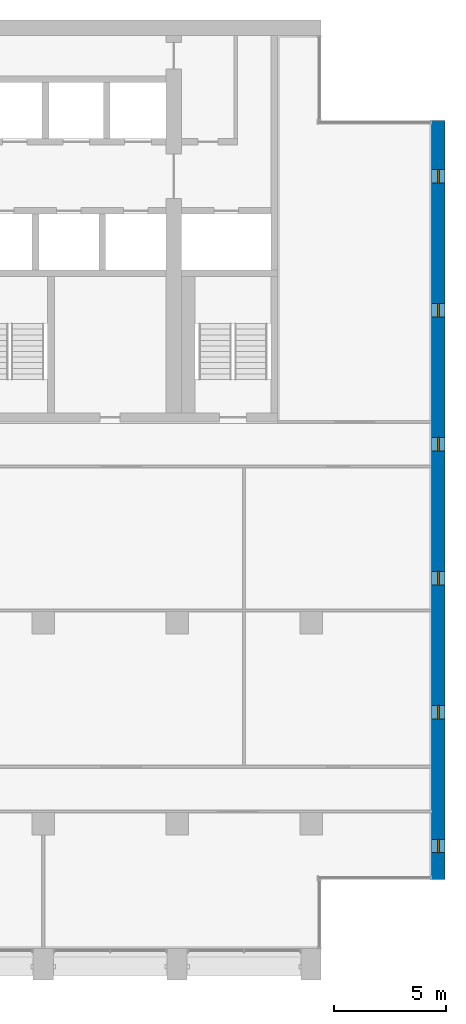
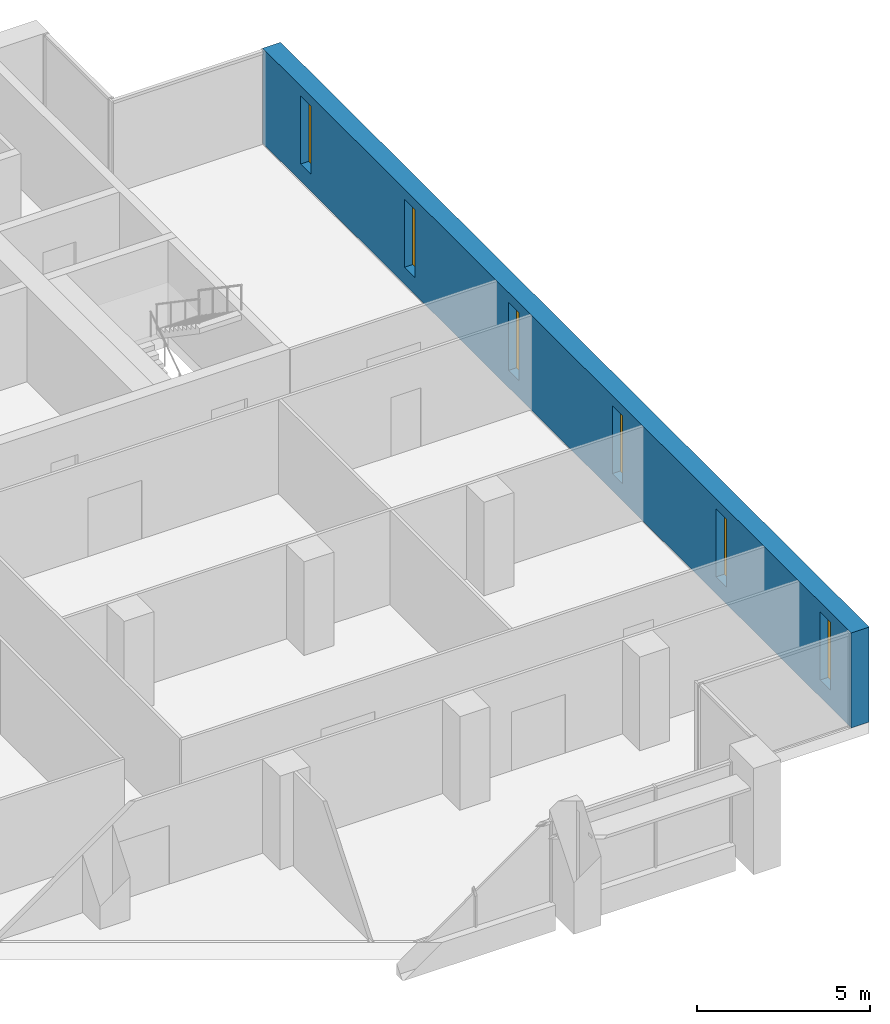
# One storey, part 12 of 17: 6 windows, 1 wall, 6 openings.
"""IFC4 building model written with IfcOpenShell, lengths in metres."""

from ifc_helpers import new_model, si_unit, direction, frame, frame_2d, origin, place, context, subcontext, project, spatial, rectangle, extrude, material, layer, layer_set, type_object, element, fill, save


model = new_model("IFC4")

# Units and contexts
model_context = context("Model", 3, precision=1e-05, world=origin(), true_north=direction((0.0, 1.0)))
body_context = subcontext(model_context, "Body", "Model", "MODEL_VIEW")
ifc_project = project(units=[si_unit("LENGTHUNIT", "METRE"), si_unit("AREAUNIT", "SQUARE_METRE"), si_unit("VOLUMEUNIT", "CUBIC_METRE"), si_unit("PLANEANGLEUNIT", "RADIAN"), si_unit("MASSUNIT", "GRAM", prefix="KILO")], contexts=[model_context])

# Site, building, storey
site_placement = place(None, origin())
site = spatial("IfcSite", under=ifc_project, at=site_placement, CompositionType="ELEMENT")
building_placement = place(site_placement, origin())
building = spatial("IfcBuilding", under=site, at=building_placement, Name="Calvaro Tower", CompositionType="ELEMENT")
storey_placement = place(building_placement, frame((0.0, 0.0, 211.75)))
storey = spatial("IfcBuildingStorey", under=building, at=storey_placement, Name="L53", CompositionType="ELEMENT", Elevation=211.75)

# Wall, openings, windows
ifc_material_1 = material(Name="Concrete C50/60", Category="concrete")
ifc_layer = layer(ifc_material_1, 0.60009765625)
ifc_layer_set = layer_set([ifc_layer], Name="Concrete C50/60")
wall_type = type_object("IfcWallType", Name="End wall 600 C50/60", PredefinedType="SHEAR", material=ifc_layer_set)
wall_placement = place(storey_placement, frame((71.699951171875, 7.5, 0.0), z_axis=(0.0, 0.0, 1.0), x_axis=(0.0, 1.0, 0.0)))
wall = element("IfcWall", 1, at=wall_placement, inside=storey, type_object=wall_type, Name="End shear wall", PredefinedType="SHEAR", context=body_context, shape_type="SweptSolid", body=[
    extrude(rectangle(XDim=34.0, YDim=0.60009765625, at=frame_2d((17.0, 0.0))), origin(), (0.0, 0.0, 1.0), 3.35009765625),
])
opening_1_placement = place(wall_placement, frame((1.199951171875, 0.0, 0.60009765625)))
opening_1 = element("IfcOpeningElement", 2, at=opening_1_placement, cuts=wall, Name="Opening WE01", PredefinedType="OPENING", context=body_context, shape_type="SweptSolid", body=[
    extrude(rectangle(XDim=0.60009765625, YDim=2.39990234375, at=frame_2d((0.300048828125, 1.199951171875))), frame((0.0, 0.31005859375, 0.0), z_axis=(0.0, -1.0, 0.0), x_axis=(1.0, 0.0, 0.0)), (0.0, 0.0, 1.0), 0.6201171875),
])
opening_2_placement = place(wall_placement, frame((7.199951171875, 0.0, 0.60009765625)))
opening_2 = element("IfcOpeningElement", 3, at=opening_2_placement, cuts=wall, Name="Opening WE02", PredefinedType="OPENING", context=body_context, shape_type="SweptSolid", body=[
    extrude(rectangle(XDim=0.60009765625, YDim=2.39990234375, at=frame_2d((0.300048828125, 1.199951171875))), frame((0.0, 0.31005859375, 0.0), z_axis=(0.0, -1.0, 0.0), x_axis=(1.0, 0.0, 0.0)), (0.0, 0.0, 1.0), 0.6201171875),
])
opening_3_placement = place(wall_placement, frame((13.199951171875, 0.0, 0.60009765625)))
opening_3 = element("IfcOpeningElement", 4, at=opening_3_placement, cuts=wall, Name="Opening WE03", PredefinedType="OPENING", context=body_context, shape_type="SweptSolid", body=[
    extrude(rectangle(XDim=0.60009765625, YDim=2.39990234375, at=frame_2d((0.300048828125, 1.199951171875))), frame((0.0, 0.31005859375, 0.0), z_axis=(0.0, -1.0, 0.0), x_axis=(1.0, 0.0, 0.0)), (0.0, 0.0, 1.0), 0.6201171875),
])
opening_4_placement = place(wall_placement, frame((19.199951171875, 0.0, 0.60009765625)))
opening_4 = element("IfcOpeningElement", 5, at=opening_4_placement, cuts=wall, Name="Opening WE04", PredefinedType="OPENING", context=body_context, shape_type="SweptSolid", body=[
    extrude(rectangle(XDim=0.60009765625, YDim=2.39990234375, at=frame_2d((0.300048828125, 1.199951171875))), frame((0.0, 0.31005859375, 0.0), z_axis=(0.0, -1.0, 0.0), x_axis=(1.0, 0.0, 0.0)), (0.0, 0.0, 1.0), 0.6201171875),
])
opening_5_placement = place(wall_placement, frame((25.199951171875, 0.0, 0.60009765625)))
opening_5 = element("IfcOpeningElement", 6, at=opening_5_placement, cuts=wall, Name="Opening WE05", PredefinedType="OPENING", context=body_context, shape_type="SweptSolid", body=[
    extrude(rectangle(XDim=0.60009765625, YDim=2.39990234375, at=frame_2d((0.300048828125, 1.199951171875))), frame((0.0, 0.31005859375, 0.0), z_axis=(0.0, -1.0, 0.0), x_axis=(1.0, 0.0, 0.0)), (0.0, 0.0, 1.0), 0.6201171875),
])
opening_6_placement = place(wall_placement, frame((31.199951171875, 0.0, 0.60009765625)))
opening_6 = element("IfcOpeningElement", 7, at=opening_6_placement, cuts=wall, Name="Opening WE06", PredefinedType="OPENING", context=body_context, shape_type="SweptSolid", body=[
    extrude(rectangle(XDim=0.60009765625, YDim=2.39990234375, at=frame_2d((0.300048828125, 1.199951171875))), frame((0.0, 0.31005859375, 0.0), z_axis=(0.0, -1.0, 0.0), x_axis=(1.0, 0.0, 0.0)), (0.0, 0.0, 1.0), 0.6201171875),
])
ifc_material_2 = material(Name="Glass", Category="glass")
window_type = type_object("IfcWindowType", Name="Slit window 600 x 2400", PartitioningType="SINGLE_PANEL", PredefinedType="WINDOW", material=ifc_material_2)
window_1_placement = place(opening_1_placement, origin())
window_1 = element("IfcWindow", 8, at=window_1_placement, inside=storey, type_object=window_type, Name="Window WE01", OverallHeight=2.39990234375, OverallWidth=0.60009765625, PartitioningType="SINGLE_PANEL", PredefinedType="WINDOW", context=body_context, shape_type="SweptSolid", body=[
    extrude(rectangle(XDim=0.60009765625, YDim=2.39990234375, at=frame_2d((0.300048828125, 1.199951171875))), frame((0.0, 0.030029296875, 0.0), z_axis=(0.0, -1.0, 0.0), x_axis=(1.0, 0.0, 0.0)), (0.0, 0.0, 1.0), 0.06005859375),
])
fill(opening_1, window_1)
window_2_placement = place(opening_2_placement, origin())
window_2 = element("IfcWindow", 9, at=window_2_placement, inside=storey, type_object=window_type, Name="Window WE02", OverallHeight=2.39990234375, OverallWidth=0.60009765625, PartitioningType="SINGLE_PANEL", PredefinedType="WINDOW", context=body_context, shape_type="SweptSolid", body=[
    extrude(rectangle(XDim=0.60009765625, YDim=2.39990234375, at=frame_2d((0.300048828125, 1.199951171875))), frame((0.0, 0.030029296875, 0.0), z_axis=(0.0, -1.0, 0.0), x_axis=(1.0, 0.0, 0.0)), (0.0, 0.0, 1.0), 0.06005859375),
])
fill(opening_2, window_2)
window_3_placement = place(opening_3_placement, origin())
window_3 = element("IfcWindow", 10, at=window_3_placement, inside=storey, type_object=window_type, Name="Window WE03", OverallHeight=2.39990234375, OverallWidth=0.60009765625, PartitioningType="SINGLE_PANEL", PredefinedType="WINDOW", context=body_context, shape_type="SweptSolid", body=[
    extrude(rectangle(XDim=0.60009765625, YDim=2.39990234375, at=frame_2d((0.300048828125, 1.199951171875))), frame((0.0, 0.030029296875, 0.0), z_axis=(0.0, -1.0, 0.0), x_axis=(1.0, 0.0, 0.0)), (0.0, 0.0, 1.0), 0.06005859375),
])
fill(opening_3, window_3)
window_4_placement = place(opening_4_placement, origin())
window_4 = element("IfcWindow", 11, at=window_4_placement, inside=storey, type_object=window_type, Name="Window WE04", OverallHeight=2.39990234375, OverallWidth=0.60009765625, PartitioningType="SINGLE_PANEL", PredefinedType="WINDOW", context=body_context, shape_type="SweptSolid", body=[
    extrude(rectangle(XDim=0.60009765625, YDim=2.39990234375, at=frame_2d((0.300048828125, 1.199951171875))), frame((0.0, 0.030029296875, 0.0), z_axis=(0.0, -1.0, 0.0), x_axis=(1.0, 0.0, 0.0)), (0.0, 0.0, 1.0), 0.06005859375),
])
fill(opening_4, window_4)
window_5_placement = place(opening_5_placement, origin())
window_5 = element("IfcWindow", 12, at=window_5_placement, inside=storey, type_object=window_type, Name="Window WE05", OverallHeight=2.39990234375, OverallWidth=0.60009765625, PartitioningType="SINGLE_PANEL", PredefinedType="WINDOW", context=body_context, shape_type="SweptSolid", body=[
    extrude(rectangle(XDim=0.60009765625, YDim=2.39990234375, at=frame_2d((0.300048828125, 1.199951171875))), frame((0.0, 0.030029296875, 0.0), z_axis=(0.0, -1.0, 0.0), x_axis=(1.0, 0.0, 0.0)), (0.0, 0.0, 1.0), 0.06005859375),
])
fill(opening_5, window_5)
window_6_placement = place(opening_6_placement, origin())
window_6 = element("IfcWindow", 13, at=window_6_placement, inside=storey, type_object=window_type, Name="Window WE06", OverallHeight=2.39990234375, OverallWidth=0.60009765625, PartitioningType="SINGLE_PANEL", PredefinedType="WINDOW", context=body_context, shape_type="SweptSolid", body=[
    extrude(rectangle(XDim=0.60009765625, YDim=2.39990234375, at=frame_2d((0.300048828125, 1.199951171875))), frame((0.0, 0.030029296875, 0.0), z_axis=(0.0, -1.0, 0.0), x_axis=(1.0, 0.0, 0.0)), (0.0, 0.0, 1.0), 0.06005859375),
])
fill(opening_6, window_6)

save(model, "model.ifc")
